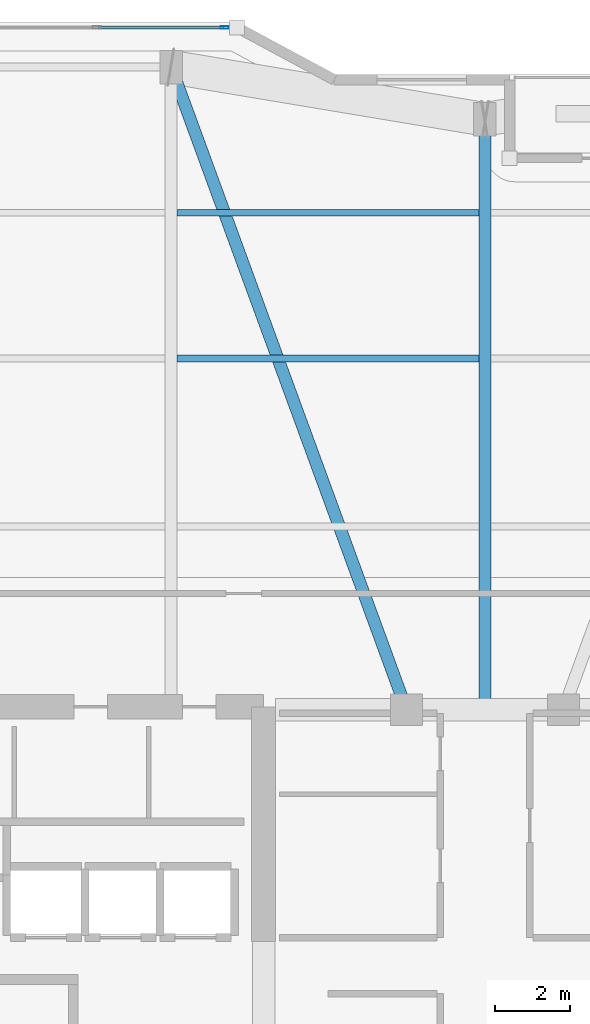
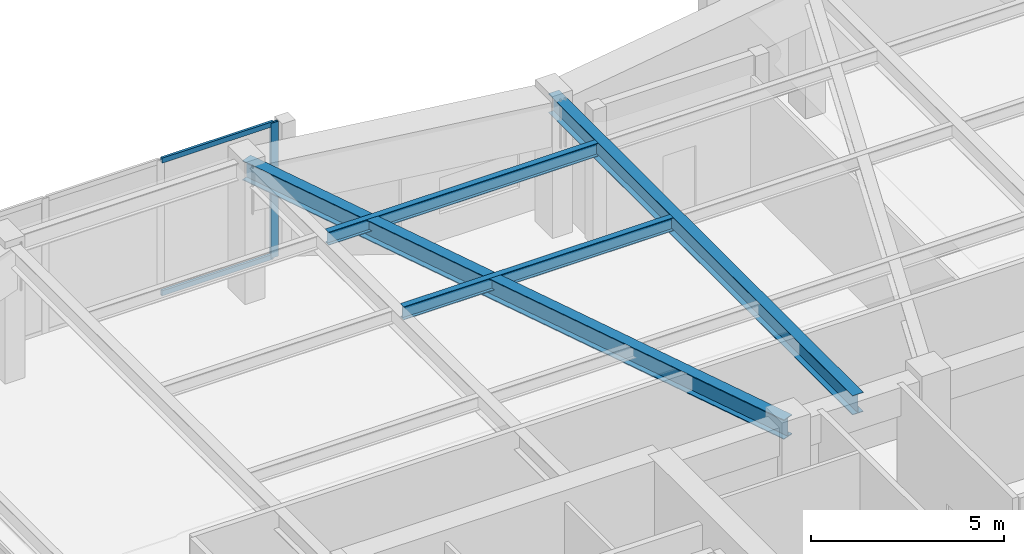
# One storey, part 6 of 18: 4 beams, 3 members, 1 element without a shape of its own.
"""IFC4 building model written with IfcOpenShell, lengths in metres."""

from ifc_helpers import new_model, si_unit, direction, frame, origin, origin_2d, place, context, subcontext, project, spatial, hollow_rectangle, i_section, extrude, material, layer, layer_set, material_profile, profile_set, type_object, element, aggregate, save


model = new_model("IFC4")

# Units and contexts
model_context = context("Model", 3, precision=1e-05, world=origin(), true_north=direction((0.0, 1.0)))
body_context = subcontext(model_context, "Body", "Model", "MODEL_VIEW")
ifc_project = project(units=[si_unit("LENGTHUNIT", "METRE"), si_unit("AREAUNIT", "SQUARE_METRE"), si_unit("VOLUMEUNIT", "CUBIC_METRE"), si_unit("PLANEANGLEUNIT", "RADIAN"), si_unit("MASSUNIT", "GRAM", prefix="KILO")], contexts=[model_context])

# Site, building, storey
site_placement = place(None, origin())
site = spatial("IfcSite", under=ifc_project, at=site_placement, CompositionType="ELEMENT")
building_placement = place(site_placement, origin())
building = spatial("IfcBuilding", under=site, at=building_placement, Name="Kiyonajd Concourse Tower", CompositionType="ELEMENT")
storey_placement = place(building_placement, frame((0.0, 0.0, 214.800048828125)))
storey = spatial("IfcBuildingStorey", under=building, at=storey_placement, Name="L54", CompositionType="ELEMENT", Elevation=214.800048828125)

# Beams
ifc_material_1 = material(Name="Steel ASTM A992 Grade 50", Category="steel")
ifc_material_profile_1 = material_profile(ifc_material_1, i_section(OverallWidth=0.180908203125, OverallDepth=0.4169921875, WebThickness=0.010986328125, FlangeThickness=0.018310546875, at=origin_2d()), Name="W410X85")
ifc_profile_set_1 = profile_set([ifc_material_profile_1], Name="Steel ASTM A992 Grade 50")
beam_type_1 = type_object("IfcBeamType", Name="BM-JST-410", PredefinedType="JOIST", material=ifc_profile_set_1)
for number, where, z_axis, x_axis, name in (
    (1, (39.761962890625, 53.39990234375, 4.071533203125), (1.0, 0.0, 0.0), (0.0, 1.0, 0.0), "L54 Secondary Floor Joist"),
    (2, (39.761962890625, 57.300048828125, 4.071533203125), (1.0, 0.0, 0.0), (0.0, 1.0, 0.0), "L54 Secondary Floor Joist"),
):
    element("IfcBeam", number, at=place(storey_placement, frame(where, z_axis=z_axis, x_axis=x_axis)), inside=storey, type_object=beam_type_1, Name=name, PredefinedType="JOIST", context=body_context, shape_type="SweptSolid", body=[
        extrude(i_section(OverallWidth=0.180908203125, OverallDepth=0.4169921875, WebThickness=0.010986328125, FlangeThickness=0.018310546875, at=origin_2d()), origin(), (0.0, 0.0, 1.0), 8.075927734375),
    ])
ifc_material_profile_2 = material_profile(ifc_material_1, i_section(OverallWidth=0.326904296875, OverallDepth=0.6220703125, WebThickness=0.015380859375, FlangeThickness=0.0244140625, at=origin_2d()), Name="W610X195")
ifc_profile_set_2 = profile_set([ifc_material_profile_2], Name="Steel ASTM A992 Grade 50")
beam_type_2 = type_object("IfcBeamType", Name="BM-TWR-610A", PredefinedType="BEAM", material=ifc_profile_set_2)
beam_1_placement = place(storey_placement, frame((39.60009765625, 61.199951171875, 3.968994140625), z_axis=(0.343925269715, -0.938997022813, 0.0), x_axis=(0.938997022813, 0.343925269715, 0.0)))
element("IfcBeam", 3, at=beam_1_placement, inside=storey, type_object=beam_type_2, Name="L54 Core Tie Girder", PredefinedType="BEAM", context=body_context, shape_type="SweptSolid", body=[
    extrude(i_section(OverallWidth=0.326904296875, OverallDepth=0.6220703125, WebThickness=0.015380859375, FlangeThickness=0.0244140625, at=origin_2d()), origin(), (0.0, 0.0, 1.0), 18.3173828125),
])
ifc_material_profile_3 = material_profile(ifc_material_1, i_section(OverallWidth=0.323974609375, OverallDepth=0.611083984375, WebThickness=0.0126953125, FlangeThickness=0.01904296875, at=origin_2d()), Name="W610X155")
ifc_profile_set_3 = profile_set([ifc_material_profile_3], Name="Steel ASTM A992 Grade 50")
beam_type_3 = type_object("IfcBeamType", Name="BM-TWR-610B", PredefinedType="BEAM", material=ifc_profile_set_3)
beam_2_placement = place(storey_placement, frame((48.0, 44.0, 3.974365234375), z_axis=(0.0, 1.0, 0.0), x_axis=(-1.0, 0.0, 0.0)))
element("IfcBeam", 4, at=beam_2_placement, inside=storey, type_object=beam_type_3, Name="L54 North Ribbon Girder", PredefinedType="BEAM", context=body_context, shape_type="SweptSolid", body=[
    extrude(i_section(OverallWidth=0.323974609375, OverallDepth=0.611083984375, WebThickness=0.0126953125, FlangeThickness=0.01904296875, at=origin_2d()), origin(), (0.0, 0.0, 1.0), 15.800048828125),
])

# Curtain wall, members
ifc_material_2 = material(Name="Thermally Broken Anodised Aluminium", Category="aluminium")
ifc_layer = layer(ifc_material_2, 0.179931640625)
ifc_layer_set = layer_set([ifc_layer], Name="Thermally Broken Anodised Aluminium")
curtain_wall_type = type_object("IfcCurtainWallType", Name="CW-SYS-05", PredefinedType="NOTDEFINED", material=ifc_layer_set)
curtain_wall_placement = place(storey_placement, origin())
curtain_wall = element("IfcCurtainWall", 5, at=curtain_wall_placement, inside=storey, type_object=curtain_wall_type, Name="L54 Unitised Curtain Wall CW5", PredefinedType="NOTDEFINED")
ifc_material_profile_4 = material_profile(ifc_material_2, hollow_rectangle(XDim=0.074951171875, YDim=0.219970703125, WallThickness=0.0048828125, at=origin_2d()), Name="MULL-75x220")
ifc_profile_set_4 = profile_set([ifc_material_profile_4], Name="Thermally Broken Anodised Aluminium")
member_type_1 = type_object("IfcMemberType", Name="MB-CW-MULL2", PredefinedType="MULLION", material=ifc_profile_set_4)
member_1_placement = place(storey_placement, frame((41.037109375, 62.260009765625, 0.0), z_axis=(0.0, 0.0, 1.0), x_axis=(0.0, 1.0, 0.0)))
member_1 = element("IfcMember", 6, at=member_1_placement, type_object=member_type_1, Name="CW5 mullion 4", PredefinedType="MULLION", context=body_context, shape_type="SweptSolid", body=[
    extrude(hollow_rectangle(XDim=0.074951171875, YDim=0.219970703125, WallThickness=0.0048828125, at=origin_2d()), origin(), (0.0, 0.0, 1.0), 4.280029296875),
])
ifc_material_profile_5 = material_profile(ifc_material_2, hollow_rectangle(XDim=0.074951171875, YDim=0.159912109375, WallThickness=0.0048828125, at=origin_2d()), Name="TRAN-75x160")
ifc_profile_set_5 = profile_set([ifc_material_profile_5], Name="Thermally Broken Anodised Aluminium")
member_type_2 = type_object("IfcMemberType", Name="MB-CW-TRAN2", PredefinedType="USERDEFINED", material=ifc_profile_set_5)
member_2_placement = place(storey_placement, frame((37.65673828125, 62.260009765625, 0.037353515625), z_axis=(1.0, 0.0, 0.0), x_axis=(0.0, 1.0, 0.0)))
member_2 = element("IfcMember", 7, at=member_2_placement, type_object=member_type_2, Name="CW5 transom 3.1", ObjectType="TRANSOM", PredefinedType="USERDEFINED", context=body_context, shape_type="SweptSolid", body=[
    extrude(hollow_rectangle(XDim=0.074951171875, YDim=0.159912109375, WallThickness=0.0048828125, at=origin_2d()), origin(), (0.0, 0.0, 1.0), 3.343017578125),
])
member_3_placement = place(storey_placement, frame((37.65673828125, 62.260009765625, 4.242431640625), z_axis=(1.0, 0.0, 0.0), x_axis=(0.0, 1.0, 0.0)))
member_3 = element("IfcMember", 8, at=member_3_placement, type_object=member_type_2, Name="CW5 transom 3.2", ObjectType="TRANSOM", PredefinedType="USERDEFINED", context=body_context, shape_type="SweptSolid", body=[
    extrude(hollow_rectangle(XDim=0.074951171875, YDim=0.159912109375, WallThickness=0.0048828125, at=origin_2d()), origin(), (0.0, 0.0, 1.0), 3.343017578125),
])
aggregate(curtain_wall, [member_1, member_2, member_3])

save(model, "model.ifc")
